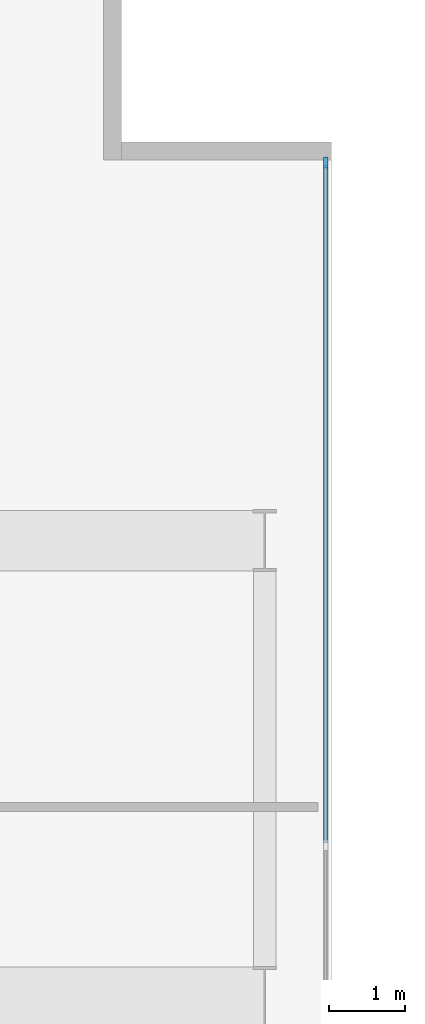
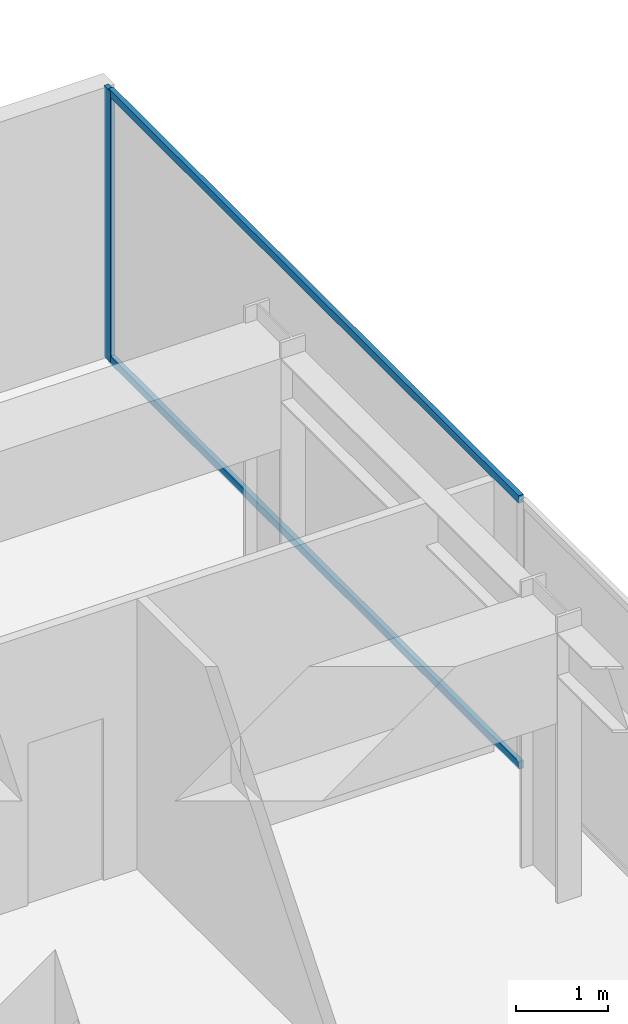
# One storey, part 15 of 24: 3 members, 1 element without a shape of its own.
"""IFC4 building model written with IfcOpenShell, lengths in metres."""

from ifc_helpers import new_model, si_unit, direction, frame, origin, origin_2d, place, context, subcontext, project, spatial, rectangle, extrude, material, layer, layer_set, material_profile, profile_set, type_object, element, aggregate, save


model = new_model("IFC4")

# Units and contexts
model_context = context("Model", 3, precision=1e-05, world=origin(), true_north=direction((0.0, 1.0)))
body_context = subcontext(model_context, "Body", "Model", "MODEL_VIEW")
ifc_project = project(units=[si_unit("LENGTHUNIT", "METRE"), si_unit("AREAUNIT", "SQUARE_METRE"), si_unit("VOLUMEUNIT", "CUBIC_METRE"), si_unit("PLANEANGLEUNIT", "RADIAN"), si_unit("MASSUNIT", "GRAM", prefix="KILO")], contexts=[model_context])

# Site, building, storey
site_placement = place(None, origin())
site = spatial("IfcSite", under=ifc_project, at=site_placement, CompositionType="ELEMENT")
building_placement = place(site_placement, origin())
building = spatial("IfcBuilding", under=site, at=building_placement, Name="Putna Gate Headquarters", CompositionType="ELEMENT")
storey_placement = place(building_placement, frame((0.0, 0.0, 251.800048828125)))
storey = spatial("IfcBuildingStorey", under=building, at=storey_placement, Name="L63", CompositionType="ELEMENT", Elevation=251.800048828125)

# Curtain wall, members
ifc_material_1 = material(Name="Anodised bronze aluminium curtain wall", Category="aluminium")
ifc_layer = layer(ifc_material_1, 0.139892578125)
ifc_layer_set = layer_set([ifc_layer], Name="Anodised bronze aluminium curtain wall")
curtain_wall_type = type_object("IfcCurtainWallType", Name="CW-SYS-Z4", PredefinedType="USERDEFINED", material=ifc_layer_set)
curtain_wall_placement = place(storey_placement, origin())
curtain_wall = element("IfcCurtainWall", 1, at=curtain_wall_placement, inside=storey, type_object=curtain_wall_type, Name="L63 East Curtain Wall", ObjectType="STICK CURTAIN WALL", PredefinedType="USERDEFINED")
ifc_material_2 = material(Name="Anodised bronze aluminium EN AW-6060", Category="aluminium")
ifc_material_profile_1 = material_profile(ifc_material_2, rectangle(XDim=0.06005859375, YDim=0.139892578125, at=origin_2d()), Name="Anodised bronze aluminium EN AW-6060")
ifc_profile_set_1 = profile_set([ifc_material_profile_1], Name="Anodised bronze aluminium EN AW-6060")
member_type_1 = type_object("IfcMemberType", Name="MULL-CWM-4", PredefinedType="MULLION", material=ifc_profile_set_1)
member_1_placement = place(storey_placement, frame((72.1201171875, 43.969970703125, 0.0), z_axis=(0.0, 0.0, 1.0), x_axis=(-1.0, 0.0, 0.0)))
member_1 = element("IfcMember", 2, at=member_1_placement, type_object=member_type_1, Name="CWS-4 mullion 5", PredefinedType="MULLION", context=body_context, shape_type="SweptSolid", body=[
    extrude(rectangle(XDim=0.06005859375, YDim=0.139892578125, at=origin_2d()), origin(), (0.0, 0.0, 1.0), 3.587890625),
])
ifc_material_profile_2 = material_profile(ifc_material_2, rectangle(XDim=0.06005859375, YDim=0.10009765625, at=origin_2d()), Name="Anodised bronze aluminium EN AW-6060")
ifc_profile_set_2 = profile_set([ifc_material_profile_2], Name="Anodised bronze aluminium EN AW-6060")
member_type_2 = type_object("IfcMemberType", Name="TRAN-CWT-4", PredefinedType="USERDEFINED", material=ifc_profile_set_2)
member_2_placement = place(storey_placement, frame((72.1201171875, 35.030029296875, 0.030029296875), z_axis=(0.0, 1.0, 0.0), x_axis=(-1.0, 0.0, 0.0)))
member_2 = element("IfcMember", 3, at=member_2_placement, type_object=member_type_2, Name="CWS-4 transom 4.1", ObjectType="TRANSOM", PredefinedType="USERDEFINED", context=body_context, shape_type="SweptSolid", body=[
    extrude(rectangle(XDim=0.06005859375, YDim=0.10009765625, at=origin_2d()), origin(), (0.0, 0.0, 1.0), 8.909912109375),
])
member_3_placement = place(storey_placement, frame((72.1201171875, 35.030029296875, 3.557861328125), z_axis=(0.0, 1.0, 0.0), x_axis=(-1.0, 0.0, 0.0)))
member_3 = element("IfcMember", 4, at=member_3_placement, type_object=member_type_2, Name="CWS-4 transom 4.2", ObjectType="TRANSOM", PredefinedType="USERDEFINED", context=body_context, shape_type="SweptSolid", body=[
    extrude(rectangle(XDim=0.06005859375, YDim=0.10009765625, at=origin_2d()), origin(), (0.0, 0.0, 1.0), 8.909912109375),
])
aggregate(curtain_wall, [member_1, member_2, member_3])

save(model, "model.ifc")
